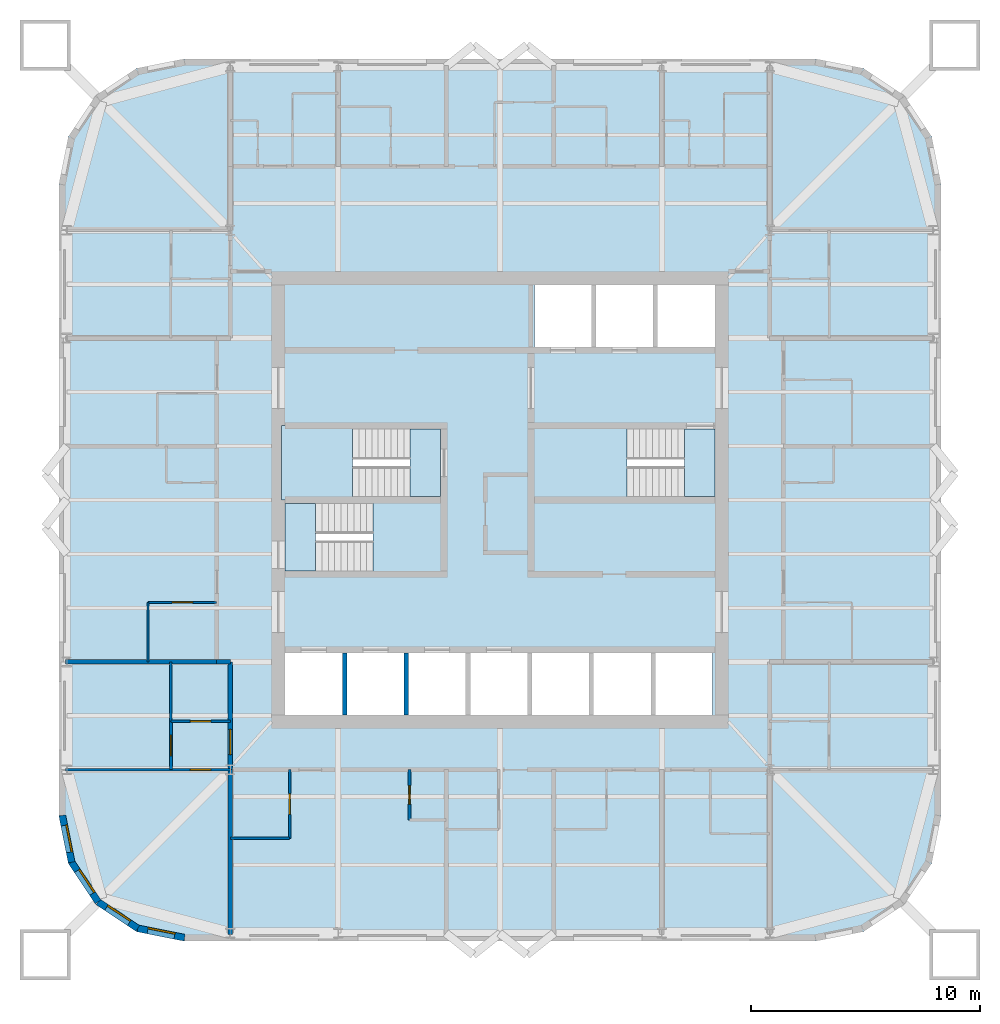
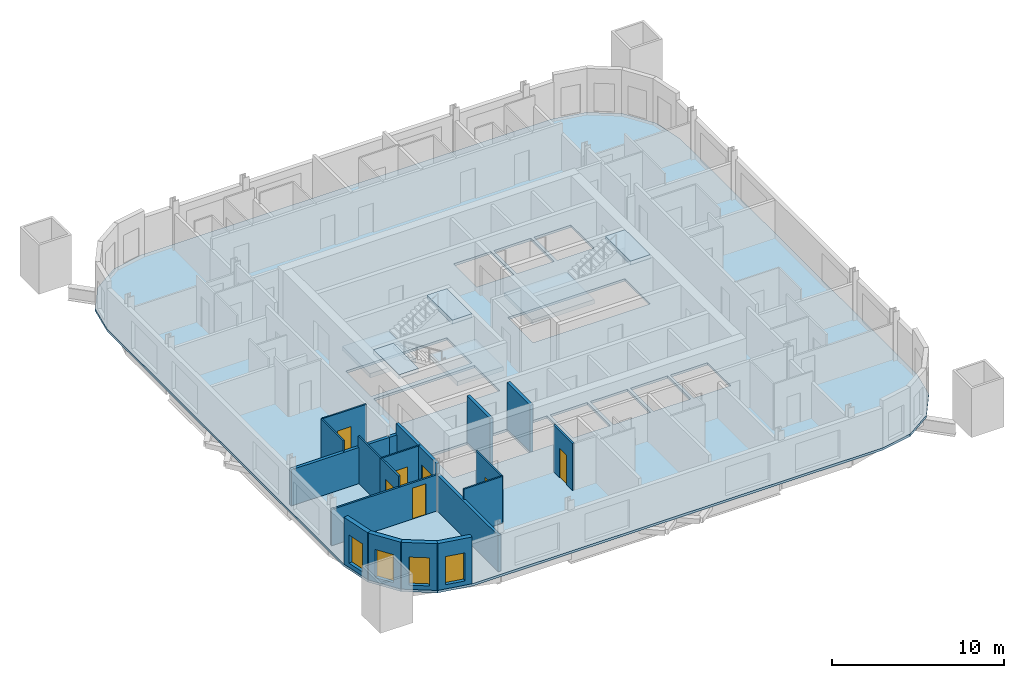
# One storey, part 2 of 9: 19 walls, 7 doors, 7 slabs, 4 windows, 11 openings, 3 elements without a shape of their own.
"""IFC4 building model written with IfcOpenShell, lengths in metres."""

from ifc_helpers import new_model, si_unit, direction, frame, frame_2d, origin, place, context, subcontext, project, spatial, polyline, rectangle, outline, extrude, material, layer, layer_set, type_object, element, fill, aggregate, save


model = new_model("IFC4")

# Units and contexts
model_context = context("Model", 3, precision=1e-05, world=origin(), true_north=direction((0.0, 1.0)))
body_context = subcontext(model_context, "Body", "Model", "MODEL_VIEW")
ifc_project = project(units=[si_unit("LENGTHUNIT", "METRE"), si_unit("AREAUNIT", "SQUARE_METRE"), si_unit("VOLUMEUNIT", "CUBIC_METRE"), si_unit("PLANEANGLEUNIT", "RADIAN"), si_unit("MASSUNIT", "GRAM", prefix="KILO")], contexts=[model_context])

# Site, building, storey
site_placement = place(None, origin())
site = spatial("IfcSite", under=ifc_project, at=site_placement, CompositionType="ELEMENT")
building_placement = place(site_placement, origin())
building = spatial("IfcBuilding", under=site, at=building_placement, Name="Turquesa Mirador Hotel Tower", CompositionType="ELEMENT")
storey_placement = place(building_placement, frame((0.0, 0.0, 189.800048828125)))
storey = spatial("IfcBuildingStorey", under=building, at=storey_placement, Name="L51", CompositionType="ELEMENT", Elevation=189.800048828125)

# Slab
ifc_material_1 = material(Name="Concrete C28/35", Category="concrete")
ifc_layer_1 = layer(ifc_material_1, 0.169921875)
ifc_layer_set_1 = layer_set([ifc_layer_1], Name="COMPOSITE FLOOR SLAB 170")
slab_type_1 = type_object("IfcSlabType", Name="COMPOSITE FLOOR SLAB 170", PredefinedType="FLOOR", material=ifc_layer_set_1)
slab_1_placement = place(storey_placement, frame((0.0, 0.0, -0.170166015625)))
element("IfcSlab", 1, at=slab_1_placement, inside=storey, type_object=slab_type_1, Name="Floor slab L51", PredefinedType="FLOOR", context=body_context, shape_type="SweptSolid", body=[
    extrude(outline(polyline([(68.800048828125, 25.699951171875), (70.90478515625, 26.11865234375), (72.689208984375, 27.310791015625), (73.88134765625, 29.09521484375), (74.300048828125, 31.199951171875), (74.300048828125, 58.800048828125), (73.88134765625, 60.90478515625), (72.689208984375, 62.689208984375), (70.90478515625, 63.88134765625), (68.800048828125, 64.300048828125), (41.199951171875, 64.300048828125), (39.09521484375, 63.88134765625), (37.310791015625, 62.689208984375), (36.11865234375, 60.90478515625), (35.699951171875, 58.800048828125), (35.699951171875, 31.199951171875), (36.11865234375, 29.09521484375), (37.310791015625, 27.310791015625), (39.09521484375, 26.11865234375), (41.199951171875, 25.699951171875), (68.800048828125, 25.699951171875)]), holes=[polyline([(56.5, 51.699951171875), (59.0, 51.699951171875), (59.0, 54.39990234375), (56.5, 54.39990234375), (56.5, 51.699951171875)]), polyline([(59.199951171875, 51.699951171875), (61.699951171875, 51.699951171875), (61.699951171875, 54.39990234375), (59.199951171875, 54.39990234375), (59.199951171875, 51.699951171875)]), polyline([(45.60009765625, 35.60009765625), (48.10009765625, 35.60009765625), (48.10009765625, 38.300048828125), (45.60009765625, 38.300048828125), (45.60009765625, 35.60009765625)]), polyline([(48.300048828125, 35.60009765625), (50.800048828125, 35.60009765625), (50.800048828125, 38.300048828125), (48.300048828125, 38.300048828125), (48.300048828125, 35.60009765625)]), polyline([(51.0, 35.60009765625), (53.5, 35.60009765625), (53.5, 38.300048828125), (51.0, 38.300048828125), (51.0, 35.60009765625)]), polyline([(53.699951171875, 35.60009765625), (56.199951171875, 35.60009765625), (56.199951171875, 38.300048828125), (53.699951171875, 38.300048828125), (53.699951171875, 35.60009765625)]), polyline([(56.39990234375, 35.60009765625), (58.89990234375, 35.60009765625), (58.89990234375, 38.300048828125), (56.39990234375, 38.300048828125), (56.39990234375, 35.60009765625)]), polyline([(59.10009765625, 35.60009765625), (61.60009765625, 35.60009765625), (61.60009765625, 38.300048828125), (59.10009765625, 38.300048828125), (59.10009765625, 35.60009765625)]), polyline([(61.800048828125, 35.60009765625), (64.300048828125, 35.60009765625), (64.300048828125, 38.300048828125), (61.800048828125, 38.300048828125), (61.800048828125, 35.60009765625)]), polyline([(45.60009765625, 45.14990234375), (52.39990234375, 45.14990234375), (52.39990234375, 48.10009765625), (45.60009765625, 48.10009765625), (45.60009765625, 45.14990234375)]), polyline([(45.60009765625, 41.89990234375), (52.39990234375, 41.89990234375), (52.39990234375, 44.85009765625), (45.60009765625, 44.85009765625), (45.60009765625, 41.89990234375)]), polyline([(56.5, 45.14990234375), (64.39990234375, 45.14990234375), (64.39990234375, 48.10009765625), (56.5, 48.10009765625), (56.5, 45.14990234375)]), polyline([(61.89990234375, 51.699951171875), (64.39990234375, 51.699951171875), (64.39990234375, 54.39990234375), (61.89990234375, 54.39990234375), (61.89990234375, 51.699951171875)])]), origin(), (0.0, 0.0, 1.0), 0.170166015625),
])

# Stair, slabs
ifc_material_2 = material(Name="Concrete C35/45", Category="concrete")
stair_type = type_object("IfcStairType", Name="ESCAPE STAIR CORE", PredefinedType="HALF_TURN_STAIR", material=ifc_material_2)
stair_1_placement = place(storey_placement, origin())
stair_1 = element("IfcStair", 2, at=stair_1_placement, inside=storey, type_object=stair_type, Name="Stair ST1 L51 to L52", PredefinedType="HALF_TURN_STAIR")
ifc_material_3 = material(Name="Concrete C35/45", Category="concrete")
ifc_layer_2 = layer(ifc_material_3, 0.300048828125)
ifc_layer_set_2 = layer_set([ifc_layer_2], Name="STAIR LANDING 300")
slab_type_2 = type_object("IfcSlabType", Name="STAIR LANDING 300", PredefinedType="LANDING", material=ifc_layer_set_2)
slab_2_placement = place(storey_placement, frame((0.0, 0.0, 1.449951171875)))
slab_2 = element("IfcSlab", 3, at=slab_2_placement, type_object=slab_type_2, Name="ST1 landing 1", PredefinedType="LANDING", context=body_context, shape_type="SweptSolid", body=[
    extrude(outline(polyline([(45.449951171875, 45.0), (48.550048828125, 45.0), (48.550048828125, 48.25), (45.449951171875, 48.25), (45.449951171875, 45.0)])), origin(), (0.0, 0.0, 1.0), 0.300048828125),
])
slab_3_placement = place(storey_placement, frame((0.0, 0.0, 3.199951171875)))
slab_3 = element("IfcSlab", 4, at=slab_3_placement, type_object=slab_type_2, Name="ST1 landing 2", PredefinedType="LANDING", context=body_context, shape_type="SweptSolid", body=[
    extrude(outline(polyline([(51.070068359375, 45.14990234375), (52.39990234375, 45.14990234375), (52.39990234375, 48.10009765625), (51.070068359375, 48.10009765625), (51.070068359375, 45.14990234375)])), origin(), (0.0, 0.0, 1.0), 0.300048828125),
])
aggregate(stair_1, [slab_2, slab_3])

stair_2_placement = place(storey_placement, origin())
stair_2 = element("IfcStair", 5, at=stair_2_placement, inside=storey, type_object=stair_type, Name="Stair ST2 L51 to L52", PredefinedType="HALF_TURN_STAIR")
slab_4_placement = place(storey_placement, frame((0.0, 0.0, 1.449951171875)))
slab_4 = element("IfcSlab", 6, at=slab_4_placement, type_object=slab_type_2, Name="ST2 landing 1", PredefinedType="LANDING", context=body_context, shape_type="SweptSolid", body=[
    extrude(outline(polyline([(52.550048828125, 45.0), (49.449951171875, 45.0), (49.449951171875, 41.75), (52.550048828125, 41.75), (52.550048828125, 45.0)])), origin(), (0.0, 0.0, 1.0), 0.300048828125),
])
slab_5_placement = place(storey_placement, frame((0.0, 0.0, 3.199951171875)))
slab_5 = element("IfcSlab", 7, at=slab_5_placement, type_object=slab_type_2, Name="ST2 landing 2", PredefinedType="LANDING", context=body_context, shape_type="SweptSolid", body=[
    extrude(outline(polyline([(46.929931640625, 44.85009765625), (45.60009765625, 44.85009765625), (45.60009765625, 41.89990234375), (46.929931640625, 41.89990234375), (46.929931640625, 44.85009765625)])), origin(), (0.0, 0.0, 1.0), 0.300048828125),
])
aggregate(stair_2, [slab_4, slab_5])

stair_3_placement = place(storey_placement, origin())
stair_3 = element("IfcStair", 8, at=stair_3_placement, inside=storey, type_object=stair_type, Name="Stair ST3 L51 to L52", PredefinedType="HALF_TURN_STAIR")
slab_6_placement = place(storey_placement, frame((0.0, 0.0, 1.449951171875)))
slab_6 = element("IfcSlab", 9, at=slab_6_placement, type_object=slab_type_2, Name="ST3 landing 1", PredefinedType="LANDING", context=body_context, shape_type="SweptSolid", body=[
    extrude(outline(polyline([(56.35009765625, 45.0), (60.550048828125, 45.0), (60.550048828125, 48.25), (56.35009765625, 48.25), (56.35009765625, 45.0)])), origin(), (0.0, 0.0, 1.0), 0.300048828125),
])
slab_7_placement = place(storey_placement, frame((0.0, 0.0, 3.199951171875)))
slab_7 = element("IfcSlab", 10, at=slab_7_placement, type_object=slab_type_2, Name="ST3 landing 2", PredefinedType="LANDING", context=body_context, shape_type="SweptSolid", body=[
    extrude(outline(polyline([(63.070068359375, 45.14990234375), (64.39990234375, 45.14990234375), (64.39990234375, 48.10009765625), (63.070068359375, 48.10009765625), (63.070068359375, 45.14990234375)])), origin(), (0.0, 0.0, 1.0), 0.300048828125),
])
aggregate(stair_3, [slab_6, slab_7])

# Wall
ifc_material_4 = material(Name="Gypsum board on steel studs", Category="steel")
ifc_layer_3 = layer(ifc_material_4, 0.10009765625)
ifc_layer_set_3 = layer_set([ifc_layer_3], Name="BATHROOM WALL 100")
wall_type_1 = type_object("IfcWallType", Name="BATHROOM WALL 100", PredefinedType="PARTITIONING", material=ifc_layer_set_3)
wall_1_placement = place(storey_placement, frame((43.199951171875, 30.199951171875, 0.0), z_axis=(0.0, 0.0, 1.0), x_axis=(1.0, 0.0, 0.0)))
element("IfcWall", 11, at=wall_1_placement, inside=storey, type_object=wall_type_1, Name="Partition L51 008", PredefinedType="PARTITIONING", context=body_context, shape_type="SweptSolid", body=[
    extrude(rectangle(XDim=2.60009765625, YDim=0.10009765625, at=frame_2d((1.300048828125, 0.0))), origin(), (0.0, 0.0, 1.0), 3.329833984375),
])

# Wall, opening, door
wall_2_placement = place(storey_placement, frame((39.60009765625, 40.52001953125, 0.0), z_axis=(0.0, 0.0, 1.0), x_axis=(1.0, 0.0, 0.0)))
wall_2 = element("IfcWall", 12, at=wall_2_placement, inside=storey, type_object=wall_type_1, Name="Partition L51 009", PredefinedType="PARTITIONING", context=body_context, shape_type="SweptSolid", body=[
    extrude(rectangle(XDim=3.0, YDim=0.10009765625, at=frame_2d((1.5, 0.0))), origin(), (0.0, 0.0, 1.0), 3.329833984375),
])
opening_1_placement = place(wall_2_placement, frame((1.050048828125, 0.0, 0.0)))
opening_1 = element("IfcOpeningElement", 13, at=opening_1_placement, cuts=wall_2, Name="Opening D02", PredefinedType="OPENING", context=body_context, shape_type="SweptSolid", body=[
    extrude(rectangle(XDim=0.89990234375, YDim=2.10009765625, at=frame_2d((0.449951171875, 1.050048828125))), frame((0.0, 0.06005859375, 0.0), z_axis=(0.0, -1.0, 0.0), x_axis=(1.0, 0.0, 0.0)), (0.0, 0.0, 1.0), 0.1201171875),
])
ifc_material_5 = material(Name="Timber veneered door", Category="wood")
door_type_1 = type_object("IfcDoorType", Name="DOOR 900X2100 EN-SUITE", OperationType="SINGLE_SWING_RIGHT", PredefinedType="DOOR", material=ifc_material_5)
door_1_placement = place(opening_1_placement, origin())
door_1 = element("IfcDoor", 14, at=door_1_placement, inside=storey, type_object=door_type_1, Name="Door 5112B", OperationType="SINGLE_SWING_RIGHT", OverallHeight=2.10009765625, OverallWidth=0.89990234375, PredefinedType="DOOR", context=body_context, shape_type="SweptSolid", body=[
    extrude(rectangle(XDim=0.89990234375, YDim=2.10009765625, at=frame_2d((0.449951171875, 1.050048828125))), frame((0.0, 0.02490234375, 0.0), z_axis=(0.0, -1.0, 0.0), x_axis=(1.0, 0.0, 0.0)), (0.0, 0.0, 1.0), 0.050048828125),
])
fill(opening_1, door_1)

wall_3_placement = place(storey_placement, frame((40.60009765625, 35.320068359375, 0.0), z_axis=(0.0, 0.0, 1.0), x_axis=(1.0, 0.0, 0.0)))
wall_3 = element("IfcWall", 15, at=wall_3_placement, inside=storey, type_object=wall_type_1, Name="Partition L51 015", PredefinedType="PARTITIONING", context=body_context, shape_type="SweptSolid", body=[
    extrude(rectangle(XDim=2.599853515625, YDim=0.10009765625, at=frame_2d((1.2998046875, 0.0))), origin(), (0.0, 0.0, 1.0), 3.329833984375),
])
opening_2_placement = place(wall_3_placement, frame((0.85009765625, 0.0, 0.0)))
opening_2 = element("IfcOpeningElement", 16, at=opening_2_placement, cuts=wall_3, Name="Opening D02", PredefinedType="OPENING", context=body_context, shape_type="SweptSolid", body=[
    extrude(rectangle(XDim=0.89990234375, YDim=2.10009765625, at=frame_2d((0.449951171875, 1.050048828125))), frame((0.0, 0.06005859375, 0.0), z_axis=(0.0, -1.0, 0.0), x_axis=(1.0, 0.0, 0.0)), (0.0, 0.0, 1.0), 0.1201171875),
])
door_2_placement = place(opening_2_placement, origin())
door_2 = element("IfcDoor", 17, at=door_2_placement, inside=storey, type_object=door_type_1, Name="Door 5116B", OperationType="SINGLE_SWING_RIGHT", OverallHeight=2.10009765625, OverallWidth=0.89990234375, PredefinedType="DOOR", context=body_context, shape_type="SweptSolid", body=[
    extrude(rectangle(XDim=0.89990234375, YDim=2.10009765625, at=frame_2d((0.449951171875, 1.050048828125))), frame((0.0, 0.02490234375, 0.0), z_axis=(0.0, -1.0, 0.0), x_axis=(1.0, 0.0, 0.0)), (0.0, 0.0, 1.0), 0.050048828125),
])
fill(opening_2, door_2)

# Walls
wall_4_placement = place(storey_placement, frame((40.60009765625, 35.320068359375, 0.0), z_axis=(0.0, 0.0, 1.0), x_axis=(0.0, 1.0, 0.0)))
element("IfcWall", 18, at=wall_4_placement, inside=storey, type_object=wall_type_1, Name="Partition L51 049", PredefinedType="PARTITIONING", context=body_context, shape_type="SweptSolid", body=[
    extrude(rectangle(XDim=2.599853515625, YDim=0.10009765625, at=frame_2d((1.2998046875, 0.0))), origin(), (0.0, 0.0, 1.0), 3.329833984375),
])
wall_5_placement = place(storey_placement, frame((39.60009765625, 37.919921875, 0.0), z_axis=(0.0, 0.0, 1.0), x_axis=(0.0, 1.0, 0.0)))
element("IfcWall", 19, at=wall_5_placement, inside=storey, type_object=wall_type_1, Name="Partition L51 055", PredefinedType="PARTITIONING", context=body_context, shape_type="SweptSolid", body=[
    extrude(rectangle(XDim=2.60009765625, YDim=0.10009765625, at=frame_2d((1.300048828125, 0.0))), origin(), (0.0, 0.0, 1.0), 3.329833984375),
])

# Wall, opening, door
wall_6_placement = place(storey_placement, frame((45.800048828125, 30.199951171875, 0.0), z_axis=(0.0, 0.0, 1.0), x_axis=(0.0, 1.0, 0.0)))
wall_6 = element("IfcWall", 20, at=wall_6_placement, inside=storey, type_object=wall_type_1, Name="Partition L51 062", PredefinedType="PARTITIONING", context=body_context, shape_type="SweptSolid", body=[
    extrude(rectangle(XDim=3.0, YDim=0.10009765625, at=frame_2d((1.5, 0.0))), origin(), (0.0, 0.0, 1.0), 3.329833984375),
])
opening_3_placement = place(wall_6_placement, frame((1.050048828125, 0.0, 0.0)))
opening_3 = element("IfcOpeningElement", 21, at=opening_3_placement, cuts=wall_6, Name="Opening D02", PredefinedType="OPENING", context=body_context, shape_type="SweptSolid", body=[
    extrude(rectangle(XDim=0.89990234375, YDim=2.10009765625, at=frame_2d((0.449951171875, 1.050048828125))), frame((0.0, 0.06005859375, 0.0), z_axis=(0.0, -1.0, 0.0), x_axis=(1.0, 0.0, 0.0)), (0.0, 0.0, 1.0), 0.1201171875),
])
door_3_placement = place(opening_3_placement, origin())
door_3 = element("IfcDoor", 22, at=door_3_placement, inside=storey, type_object=door_type_1, Name="Door 5106B", OperationType="SINGLE_SWING_RIGHT", OverallHeight=2.10009765625, OverallWidth=0.89990234375, PredefinedType="DOOR", context=body_context, shape_type="SweptSolid", body=[
    extrude(rectangle(XDim=0.89990234375, YDim=2.10009765625, at=frame_2d((0.449951171875, 1.050048828125))), frame((0.0, 0.02490234375, 0.0), z_axis=(0.0, -1.0, 0.0), x_axis=(1.0, 0.0, 0.0)), (0.0, 0.0, 1.0), 0.050048828125),
])
fill(opening_3, door_3)

# Wall
ifc_material_6 = material(Name="Fire-rated gypsum board on steel studs", Category="steel")
ifc_layer_4 = layer(ifc_material_6, 0.199951171875)
ifc_layer_set_4 = layer_set([ifc_layer_4], Name="CORRIDOR WALL 200")
wall_type_2 = type_object("IfcWallType", Name="CORRIDOR WALL 200", PredefinedType="PARTITIONING", material=ifc_layer_set_4)
wall_7_placement = place(storey_placement, frame((42.60009765625, 37.919921875, 0.0), z_axis=(0.0, 0.0, 1.0), x_axis=(1.0, 0.0, 0.0)))
element("IfcWall", 23, at=wall_7_placement, inside=storey, type_object=wall_type_2, Name="Partition L51 011", PredefinedType="PARTITIONING", context=body_context, shape_type="SweptSolid", body=[
    extrude(rectangle(XDim=0.599853515625, YDim=0.199951171875, at=frame_2d((0.2998046875, 0.0))), origin(), (0.0, 0.0, 1.0), 2.572998046875),
])

# Wall, opening, door
wall_8_placement = place(storey_placement, frame((43.199951171875, 33.199951171875, 0.0), z_axis=(0.0, 0.0, 1.0), x_axis=(0.0, 1.0, 0.0)))
wall_8 = element("IfcWall", 24, at=wall_8_placement, inside=storey, type_object=wall_type_2, Name="Partition L51 044", PredefinedType="PARTITIONING", context=body_context, shape_type="SweptSolid", body=[
    extrude(rectangle(XDim=4.719970703125, YDim=0.199951171875, at=frame_2d((2.35986328125, 0.0))), origin(), (0.0, 0.0, 1.0), 3.329833984375),
])
opening_4_placement = place(wall_8_placement, frame((0.659912109375, 0.0, 0.0)))
opening_4 = element("IfcOpeningElement", 25, at=opening_4_placement, cuts=wall_8, Name="Opening D15", PredefinedType="OPENING", context=body_context, shape_type="SweptSolid", body=[
    extrude(rectangle(XDim=1.10009765625, YDim=2.199951171875, at=frame_2d((0.550048828125, 1.10009765625))), frame((0.0, 0.10986328125, 0.0), z_axis=(0.0, -1.0, 0.0), x_axis=(1.0, 0.0, 0.0)), (0.0, 0.0, 1.0), 0.219970703125),
])
ifc_material_7 = material(Name="Timber veneered fire door", Category="wood")
door_type_2 = type_object("IfcDoorType", Name="DOOR 1100X2200 SUITE ENTRY", OperationType="SINGLE_SWING_LEFT", PredefinedType="DOOR", material=ifc_material_7)
door_4_placement = place(opening_4_placement, origin())
door_4 = element("IfcDoor", 26, at=door_4_placement, inside=storey, type_object=door_type_2, Name="Door 5116H", OperationType="SINGLE_SWING_LEFT", OverallHeight=2.199951171875, OverallWidth=1.10009765625, PredefinedType="DOOR", context=body_context, shape_type="SweptSolid", body=[
    extrude(rectangle(XDim=1.10009765625, YDim=2.199951171875, at=frame_2d((0.550048828125, 1.10009765625))), frame((0.0, 0.02490234375, 0.0), z_axis=(0.0, -1.0, 0.0), x_axis=(1.0, 0.0, 0.0)), (0.0, 0.0, 1.0), 0.050048828125),
])
fill(opening_4, door_4)

# Wall, opening, window
ifc_material_8 = material(Name="Limestone cladding on concrete block", Category="masonry")
ifc_layer_5 = layer(ifc_material_8, 0.300048828125)
ifc_layer_set_5 = layer_set([ifc_layer_5], Name="FACADE WALL 300 STONE SCREEN")
wall_type_3 = type_object("IfcWallType", Name="FACADE WALL 300 STONE SCREEN", PredefinedType="SOLIDWALL", material=ifc_layer_set_5)
wall_9_placement = place(storey_placement, frame((35.85009765625, 31.199951171875, 0.0), z_axis=(0.0, 0.0, 1.0), x_axis=(0.195081421501, -0.980787050784, 0.0)))
wall_9 = element("IfcWall", 27, at=wall_9_placement, inside=storey, type_object=wall_type_3, Name="Facade wall L51 15", PredefinedType="SOLIDWALL", context=body_context, shape_type="SweptSolid", body=[
    extrude(rectangle(XDim=2.08740234375, YDim=0.300048828125, at=frame_2d((1.043701171875, 0.0))), origin(), (0.0, 0.0, 1.0), 3.329833984375),
])
opening_5_placement = place(wall_9_placement, frame((0.443603515625, 0.0, 0.300048828125)))
opening_5 = element("IfcOpeningElement", 28, at=opening_5_placement, cuts=wall_9, Name="Opening WN4", PredefinedType="OPENING", context=body_context, shape_type="SweptSolid", body=[
    extrude(rectangle(XDim=1.199951171875, YDim=2.0, at=frame_2d((0.60009765625, 1.0))), frame((0.0, 0.159912109375, 0.0), z_axis=(0.0, -1.0, 0.0), x_axis=(1.0, 0.0, 0.0)), (0.0, 0.0, 1.0), 0.320068359375),
])
ifc_material_9 = material(Name="Ceramic-fritted laminated glass", Category="glass")
window_type = type_object("IfcWindowType", Name="FRITTED CORNER WINDOW 1200X2000", PartitioningType="DOUBLE_PANEL_HORIZONTAL", PredefinedType="WINDOW", material=ifc_material_9)
window_1_placement = place(opening_5_placement, origin())
window_1 = element("IfcWindow", 29, at=window_1_placement, inside=storey, type_object=window_type, Name="Window L51", OverallHeight=2.0, OverallWidth=1.199951171875, PartitioningType="SINGLE_PANEL", PredefinedType="WINDOW", context=body_context, shape_type="SweptSolid", body=[
    extrude(rectangle(XDim=1.199951171875, YDim=2.0, at=frame_2d((0.60009765625, 1.0))), frame((0.0, 0.130126953125, 0.0), z_axis=(0.0, -1.0, 0.0), x_axis=(1.0, 0.0, 0.0)), (0.0, 0.0, 1.0), 0.06005859375),
])
fill(opening_5, window_1)

wall_10_placement = place(storey_placement, frame((36.25732421875, 29.152587890625, 0.0), z_axis=(0.0, 0.0, 1.0), x_axis=(0.555563607591, -0.831474039234, 0.0)))
wall_10 = element("IfcWall", 30, at=wall_10_placement, inside=storey, type_object=wall_type_3, Name="Facade wall L51 16", PredefinedType="SOLIDWALL", context=body_context, shape_type="SweptSolid", body=[
    extrude(rectangle(XDim=2.08740234375, YDim=0.300048828125, at=frame_2d((1.043701171875, 0.0))), origin(), (0.0, 0.0, 1.0), 3.329833984375),
])
opening_6_placement = place(wall_10_placement, frame((0.443603515625, 0.0, 0.300048828125)))
opening_6 = element("IfcOpeningElement", 31, at=opening_6_placement, cuts=wall_10, Name="Opening WN4", PredefinedType="OPENING", context=body_context, shape_type="SweptSolid", body=[
    extrude(rectangle(XDim=1.199951171875, YDim=2.0, at=frame_2d((0.60009765625, 1.0))), frame((0.0, 0.159912109375, 0.0), z_axis=(0.0, -1.0, 0.0), x_axis=(1.0, 0.0, 0.0)), (0.0, 0.0, 1.0), 0.320068359375),
])
window_2_placement = place(opening_6_placement, origin())
window_2 = element("IfcWindow", 32, at=window_2_placement, inside=storey, type_object=window_type, Name="Window L51", OverallHeight=2.0, OverallWidth=1.199951171875, PartitioningType="SINGLE_PANEL", PredefinedType="WINDOW", context=body_context, shape_type="SweptSolid", body=[
    extrude(rectangle(XDim=1.199951171875, YDim=2.0, at=frame_2d((0.60009765625, 1.0))), frame((0.0, 0.130126953125, 0.0), z_axis=(0.0, -1.0, 0.0), x_axis=(1.0, 0.0, 0.0)), (0.0, 0.0, 1.0), 0.06005859375),
])
fill(opening_6, window_2)

wall_11_placement = place(storey_placement, frame((37.4169921875, 27.4169921875, 0.0), z_axis=(0.0, 0.0, 1.0), x_axis=(0.831474039234, -0.555563607591, 0.0)))
wall_11 = element("IfcWall", 33, at=wall_11_placement, inside=storey, type_object=wall_type_3, Name="Facade wall L51 17", PredefinedType="SOLIDWALL", context=body_context, shape_type="SweptSolid", body=[
    extrude(rectangle(XDim=2.08740234375, YDim=0.300048828125, at=frame_2d((1.043701171875, 0.0))), origin(), (0.0, 0.0, 1.0), 3.329833984375),
])
opening_7_placement = place(wall_11_placement, frame((0.443603515625, 0.0, 0.300048828125)))
opening_7 = element("IfcOpeningElement", 34, at=opening_7_placement, cuts=wall_11, Name="Opening WN4", PredefinedType="OPENING", context=body_context, shape_type="SweptSolid", body=[
    extrude(rectangle(XDim=1.199951171875, YDim=2.0, at=frame_2d((0.60009765625, 1.0))), frame((0.0, 0.159912109375, 0.0), z_axis=(0.0, -1.0, 0.0), x_axis=(1.0, 0.0, 0.0)), (0.0, 0.0, 1.0), 0.320068359375),
])
window_3_placement = place(opening_7_placement, origin())
window_3 = element("IfcWindow", 35, at=window_3_placement, inside=storey, type_object=window_type, Name="Window L51", OverallHeight=2.0, OverallWidth=1.199951171875, PartitioningType="SINGLE_PANEL", PredefinedType="WINDOW", context=body_context, shape_type="SweptSolid", body=[
    extrude(rectangle(XDim=1.199951171875, YDim=2.0, at=frame_2d((0.60009765625, 1.0))), frame((0.0, 0.130126953125, 0.0), z_axis=(0.0, -1.0, 0.0), x_axis=(1.0, 0.0, 0.0)), (0.0, 0.0, 1.0), 0.06005859375),
])
fill(opening_7, window_3)

wall_12_placement = place(storey_placement, frame((39.152587890625, 26.25732421875, 0.0), z_axis=(0.0, 0.0, 1.0), x_axis=(0.980787050784, -0.195081421501, 0.0)))
wall_12 = element("IfcWall", 36, at=wall_12_placement, inside=storey, type_object=wall_type_3, Name="Facade wall L51 18", PredefinedType="SOLIDWALL", context=body_context, shape_type="SweptSolid", body=[
    extrude(rectangle(XDim=2.08740234375, YDim=0.300048828125, at=frame_2d((1.043701171875, 0.0))), origin(), (0.0, 0.0, 1.0), 3.329833984375),
])
opening_8_placement = place(wall_12_placement, frame((0.443603515625, 0.0, 0.300048828125)))
opening_8 = element("IfcOpeningElement", 37, at=opening_8_placement, cuts=wall_12, Name="Opening WN4", PredefinedType="OPENING", context=body_context, shape_type="SweptSolid", body=[
    extrude(rectangle(XDim=1.199951171875, YDim=2.0, at=frame_2d((0.60009765625, 1.0))), frame((0.0, 0.159912109375, 0.0), z_axis=(0.0, -1.0, 0.0), x_axis=(1.0, 0.0, 0.0)), (0.0, 0.0, 1.0), 0.320068359375),
])
window_4_placement = place(opening_8_placement, origin())
window_4 = element("IfcWindow", 38, at=window_4_placement, inside=storey, type_object=window_type, Name="Window L51", OverallHeight=2.0, OverallWidth=1.199951171875, PartitioningType="SINGLE_PANEL", PredefinedType="WINDOW", context=body_context, shape_type="SweptSolid", body=[
    extrude(rectangle(XDim=1.199951171875, YDim=2.0, at=frame_2d((0.60009765625, 1.0))), frame((0.0, 0.130126953125, 0.0), z_axis=(0.0, -1.0, 0.0), x_axis=(1.0, 0.0, 0.0)), (0.0, 0.0, 1.0), 0.06005859375),
])
fill(opening_8, window_4)

# Walls
ifc_material_10 = material(Name="Fire-rated gypsum shaft wall on steel studs", Category="steel")
ifc_layer_6 = layer(ifc_material_10, 0.199951171875)
ifc_layer_set_6 = layer_set([ifc_layer_6], Name="LIFT SHAFT DIVIDER 200")
wall_type_4 = type_object("IfcWallType", Name="LIFT SHAFT DIVIDER 200", PredefinedType="PARTITIONING", material=ifc_layer_set_6)
for number, where, z_axis, x_axis, name in (
    (39, (48.199951171875, 35.60009765625, 0.0), (0.0, 0.0, 1.0), (0.0, 1.0, 0.0), "Lift shaft divider"),
    (40, (50.89990234375, 35.60009765625, 0.0), (0.0, 0.0, 1.0), (0.0, 1.0, 0.0), "Lift shaft divider"),
):
    element("IfcWall", number, at=place(storey_placement, frame(where, z_axis=z_axis, x_axis=x_axis)), inside=storey, type_object=wall_type_4, Name=name, PredefinedType="PARTITIONING", context=body_context, shape_type="SweptSolid", body=[
        extrude(rectangle(XDim=2.699951171875, YDim=0.199951171875, at=frame_2d((1.35009765625, 0.0))), origin(), (0.0, 0.0, 1.0), 3.329833984375),
    ])
ifc_material_11 = material(Name="Fire-rated gypsum board on steel studs", Category="steel")
ifc_layer_7 = layer(ifc_material_11, 0.199951171875)
ifc_layer_set_7 = layer_set([ifc_layer_7], Name="PARTY WALL 200")
wall_type_5 = type_object("IfcWallType", Name="PARTY WALL 200", PredefinedType="PARTITIONING", material=ifc_layer_set_7)
wall_13_placement = place(storey_placement, frame((36.0, 37.919921875, 0.0), z_axis=(0.0, 0.0, 1.0), x_axis=(1.0, 0.0, 0.0)))
element("IfcWall", 41, at=wall_13_placement, inside=storey, type_object=wall_type_5, Name="Partition L51 013", PredefinedType="PARTITIONING", context=body_context, shape_type="SweptSolid", body=[
    extrude(rectangle(XDim=6.60009765625, YDim=0.199951171875, at=frame_2d((3.300048828125, 0.0))), origin(), (0.0, 0.0, 1.0), 2.572998046875),
])
wall_14_placement = place(storey_placement, frame((43.199951171875, 26.0, 0.0), z_axis=(0.0, 0.0, 1.0), x_axis=(0.0, 1.0, 0.0)))
element("IfcWall", 42, at=wall_14_placement, inside=storey, type_object=wall_type_5, Name="Partition L51 046", PredefinedType="PARTITIONING", context=body_context, shape_type="SweptSolid", body=[
    extrude(rectangle(XDim=7.199951171875, YDim=0.199951171875, at=frame_2d((3.60009765625, 0.0))), origin(), (0.0, 0.0, 1.0), 2.572998046875),
])

# Wall, opening, door
ifc_material_12 = material(Name="Acoustic gypsum board on steel studs", Category="steel")
ifc_layer_8 = layer(ifc_material_12, 0.125)
ifc_layer_set_8 = layer_set([ifc_layer_8], Name="SUITE PARTITION 125")
wall_type_6 = type_object("IfcWallType", Name="SUITE PARTITION 125", PredefinedType="PARTITIONING", material=ifc_layer_set_8)
wall_15_placement = place(storey_placement, frame((36.0, 33.199951171875, 0.0), z_axis=(0.0, 0.0, 1.0), x_axis=(1.0, 0.0, 0.0)))
wall_15 = element("IfcWall", 43, at=wall_15_placement, inside=storey, type_object=wall_type_6, Name="Partition L51 002", PredefinedType="PARTITIONING", context=body_context, shape_type="SweptSolid", body=[
    extrude(rectangle(XDim=7.199951171875, YDim=0.125, at=frame_2d((3.60009765625, 0.0))), origin(), (0.0, 0.0, 1.0), 2.572998046875),
])
opening_9_placement = place(wall_15_placement, frame((5.449951171875, 0.0, 0.0)))
opening_9 = element("IfcOpeningElement", 44, at=opening_9_placement, cuts=wall_15, Name="Opening D17", PredefinedType="OPENING", context=body_context, shape_type="SweptSolid", body=[
    extrude(rectangle(XDim=0.89990234375, YDim=2.199951171875, at=frame_2d((0.449951171875, 1.10009765625))), frame((0.0, 0.072509765625, 0.0), z_axis=(0.0, -1.0, 0.0), x_axis=(1.0, 0.0, 0.0)), (0.0, 0.0, 1.0), 0.14501953125),
])
ifc_material_13 = material(Name="Timber veneered door", Category="wood")
door_type_3 = type_object("IfcDoorType", Name="DOOR 900X2200 SUITE INTERNAL", OperationType="SINGLE_SWING_LEFT", PredefinedType="DOOR", material=ifc_material_13)
door_5_placement = place(opening_9_placement, origin())
door_5 = element("IfcDoor", 45, at=door_5_placement, inside=storey, type_object=door_type_3, Name="Door 5116", OperationType="SINGLE_SWING_LEFT", OverallHeight=2.199951171875, OverallWidth=0.89990234375, PredefinedType="DOOR", context=body_context, shape_type="SweptSolid", body=[
    extrude(rectangle(XDim=0.89990234375, YDim=2.199951171875, at=frame_2d((0.449951171875, 1.10009765625))), frame((0.0, 0.02490234375, 0.0), z_axis=(0.0, -1.0, 0.0), x_axis=(1.0, 0.0, 0.0)), (0.0, 0.0, 1.0), 0.050048828125),
])
fill(opening_9, door_5)

wall_16_placement = place(storey_placement, frame((40.60009765625, 33.199951171875, 0.0), z_axis=(0.0, 0.0, 1.0), x_axis=(0.0, 1.0, 0.0)))
wall_16 = element("IfcWall", 46, at=wall_16_placement, inside=storey, type_object=wall_type_6, Name="Partition L51 051", PredefinedType="PARTITIONING", context=body_context, shape_type="SweptSolid", body=[
    extrude(rectangle(XDim=2.1201171875, YDim=0.125, at=frame_2d((1.06005859375, 0.0))), origin(), (0.0, 0.0, 1.0), 3.329833984375),
])
opening_10_placement = place(wall_16_placement, frame((0.610107421875, 0.0, 0.0)))
opening_10 = element("IfcOpeningElement", 47, at=opening_10_placement, cuts=wall_16, Name="Opening D17", PredefinedType="OPENING", context=body_context, shape_type="SweptSolid", body=[
    extrude(rectangle(XDim=0.89990234375, YDim=2.199951171875, at=frame_2d((0.449951171875, 1.10009765625))), frame((0.0, 0.072509765625, 0.0), z_axis=(0.0, -1.0, 0.0), x_axis=(1.0, 0.0, 0.0)), (0.0, 0.0, 1.0), 0.14501953125),
])
door_6_placement = place(opening_10_placement, origin())
door_6 = element("IfcDoor", 48, at=door_6_placement, inside=storey, type_object=door_type_3, Name="Door 5116R", OperationType="SINGLE_SWING_LEFT", OverallHeight=2.199951171875, OverallWidth=0.89990234375, PredefinedType="DOOR", context=body_context, shape_type="SweptSolid", body=[
    extrude(rectangle(XDim=0.89990234375, YDim=2.199951171875, at=frame_2d((0.449951171875, 1.10009765625))), frame((0.0, 0.02490234375, 0.0), z_axis=(0.0, -1.0, 0.0), x_axis=(1.0, 0.0, 0.0)), (0.0, 0.0, 1.0), 0.050048828125),
])
fill(opening_10, door_6)

wall_17_placement = place(storey_placement, frame((51.0400390625, 31.0, 0.0), z_axis=(0.0, 0.0, 1.0), x_axis=(0.0, 1.0, 0.0)))
wall_17 = element("IfcWall", 49, at=wall_17_placement, inside=storey, type_object=wall_type_6, Name="Partition L51 058", PredefinedType="PARTITIONING", context=body_context, shape_type="SweptSolid", body=[
    extrude(rectangle(XDim=2.199951171875, YDim=0.125, at=frame_2d((1.10009765625, 0.0))), origin(), (0.0, 0.0, 1.0), 3.329833984375),
])
opening_11_placement = place(wall_17_placement, frame((0.699951171875, 0.0, 0.0)))
opening_11 = element("IfcOpeningElement", 50, at=opening_11_placement, cuts=wall_17, Name="Opening D20", PredefinedType="OPENING", context=body_context, shape_type="SweptSolid", body=[
    extrude(rectangle(XDim=0.800048828125, YDim=2.10009765625, at=frame_2d((0.39990234375, 1.050048828125))), frame((0.0, 0.072509765625, 0.0), z_axis=(0.0, -1.0, 0.0), x_axis=(1.0, 0.0, 0.0)), (0.0, 0.0, 1.0), 0.14501953125),
])
ifc_material_14 = material(Name="Timber veneered sliding door", Category="wood")
door_type_4 = type_object("IfcDoorType", Name="DOOR 800X2100 WARDROBE", OperationType="SLIDING_TO_LEFT", PredefinedType="DOOR", material=ifc_material_14)
door_7_placement = place(opening_11_placement, origin())
door_7 = element("IfcDoor", 51, at=door_7_placement, inside=storey, type_object=door_type_4, Name="Door 5106W", OperationType="SLIDING_TO_LEFT", OverallHeight=2.10009765625, OverallWidth=0.800048828125, PredefinedType="DOOR", context=body_context, shape_type="SweptSolid", body=[
    extrude(rectangle(XDim=0.800048828125, YDim=2.10009765625, at=frame_2d((0.39990234375, 1.050048828125))), frame((0.0, 0.02490234375, 0.0), z_axis=(0.0, -1.0, 0.0), x_axis=(1.0, 0.0, 0.0)), (0.0, 0.0, 1.0), 0.050048828125),
])
fill(opening_11, door_7)

save(model, "model.ifc")
